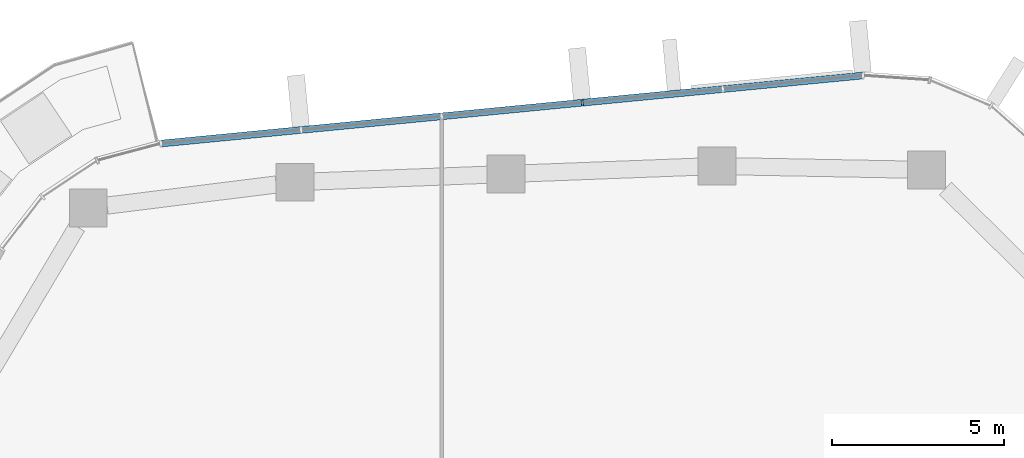
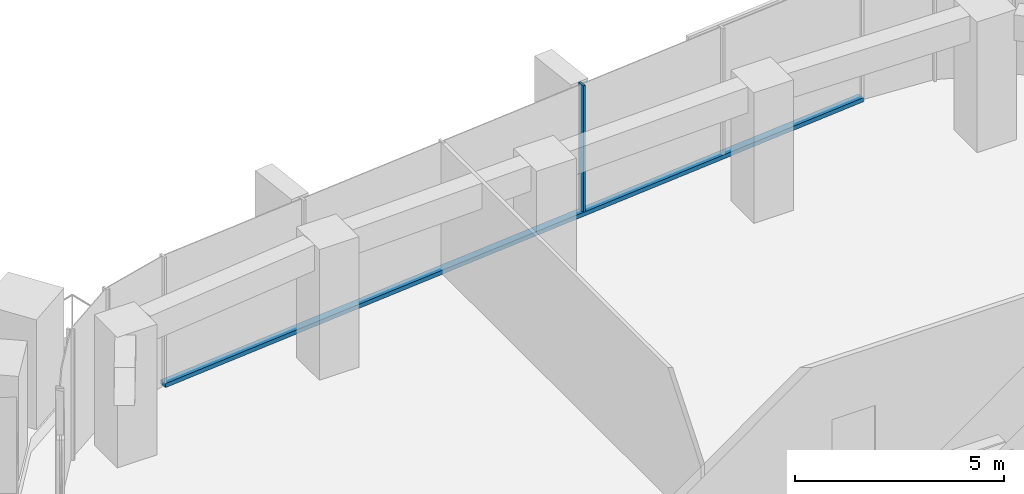
# One storey, part 7 of 20: 2 members, 1 element without a shape of its own.
"""IFC4 building model written with IfcOpenShell, lengths in metres."""

from ifc_helpers import new_model, si_unit, direction, frame, origin, origin_2d, place, context, subcontext, project, spatial, rectangle, extrude, material, layer, layer_set, material_profile, profile_set, type_object, element, aggregate, save


model = new_model("IFC4")

# Units and contexts
model_context = context("Model", 3, precision=1e-05, world=origin(), true_north=direction((0.0, 1.0)))
body_context = subcontext(model_context, "Body", "Model", "MODEL_VIEW")
ifc_project = project(units=[si_unit("LENGTHUNIT", "METRE"), si_unit("AREAUNIT", "SQUARE_METRE"), si_unit("VOLUMEUNIT", "CUBIC_METRE"), si_unit("PLANEANGLEUNIT", "RADIAN"), si_unit("MASSUNIT", "GRAM", prefix="KILO")], contexts=[model_context])

# Site, building, storey
site_placement = place(None, origin())
site = spatial("IfcSite", under=ifc_project, at=site_placement, CompositionType="ELEMENT")
building_placement = place(site_placement, origin())
building = spatial("IfcBuilding", under=site, at=building_placement, Name="Dongbaek Canopy Tower", CompositionType="ELEMENT")
storey_placement = place(building_placement, frame((0.0, 0.0, 262.199951171875)))
storey = spatial("IfcBuildingStorey", under=building, at=storey_placement, Name="L55", CompositionType="ELEMENT", Elevation=262.199951171875)

# Curtain wall, members
ifc_material_1 = material(Name="Aluminium 6063-T6 pale anodised", Category="aluminium")
ifc_layer = layer(ifc_material_1, 0.199951171875)
ifc_layer_set = layer_set([ifc_layer], Name="CW-1 unitised tower curtain wall")
curtain_wall_type = type_object("IfcCurtainWallType", Name="CW-1 unitised tower curtain wall", PredefinedType="NOTDEFINED", material=ifc_layer_set)
curtain_wall_placement = place(storey_placement, origin())
curtain_wall = element("IfcCurtainWall", 1, at=curtain_wall_placement, inside=storey, type_object=curtain_wall_type, Name="CW-1 curtain wall F1.1", PredefinedType="NOTDEFINED")
ifc_material_2 = material(Name="Aluminium 6063-T6 pale anodised", Category="aluminium")
ifc_material_profile_1 = material_profile(ifc_material_2, rectangle(XDim=0.199951171875, YDim=0.06005859375, at=origin_2d()), Name="CW-1 mullion 60 x 200")
ifc_profile_set_1 = profile_set([ifc_material_profile_1], Name="Aluminium 6063-T6 pale anodised")
member_type_1 = type_object("IfcMemberType", Name="CW-1 mullion 60 x 200", PredefinedType="MULLION", material=ifc_profile_set_1)
member_1_placement = place(storey_placement, frame((0.955078125, 26.55859375, 0.1201171875), z_axis=(0.0, 0.0, 1.0), x_axis=(-0.096505718384, 0.995332430055, 0.0)))
member_1 = element("IfcMember", 2, at=member_1_placement, type_object=member_type_1, Name="CW-1 mullion F1.1.3", PredefinedType="MULLION", context=body_context, shape_type="SweptSolid", body=[
    extrude(rectangle(XDim=0.199951171875, YDim=0.06005859375, at=origin_2d()), origin(), (0.0, 0.0, 1.0), 3.699951171875),
])
ifc_material_3 = material(Name="Aluminium 6063-T6 pale anodised", Category="aluminium")
ifc_material_profile_2 = material_profile(ifc_material_3, rectangle(XDim=0.199951171875, YDim=0.1201171875, at=origin_2d()), Name="CW-1 transom 120 x 200")
ifc_profile_set_2 = profile_set([ifc_material_profile_2], Name="Aluminium 6063-T6 pale anodised")
member_type_2 = type_object("IfcMemberType", Name="CW-1 transom 120 x 200", PredefinedType="USERDEFINED", material=ifc_profile_set_2)
member_2_placement = place(storey_placement, frame((9.1396484375, 27.35205078125, 0.06005859375), z_axis=(-0.995332112486, -0.096508993645, 0.0), x_axis=(0.096508993645, -0.995332112486, 0.0)))
member_2 = element("IfcMember", 3, at=member_2_placement, type_object=member_type_2, Name="CW-1 transom F1.1.1", ObjectType="TRANSOM", PredefinedType="USERDEFINED", context=body_context, shape_type="SweptSolid", body=[
    extrude(rectangle(XDim=0.199951171875, YDim=0.1201171875, at=origin_2d()), origin(), (0.0, 0.0, 1.0), 20.5615234375),
])
aggregate(curtain_wall, [member_1, member_2])

save(model, "model.ifc")
